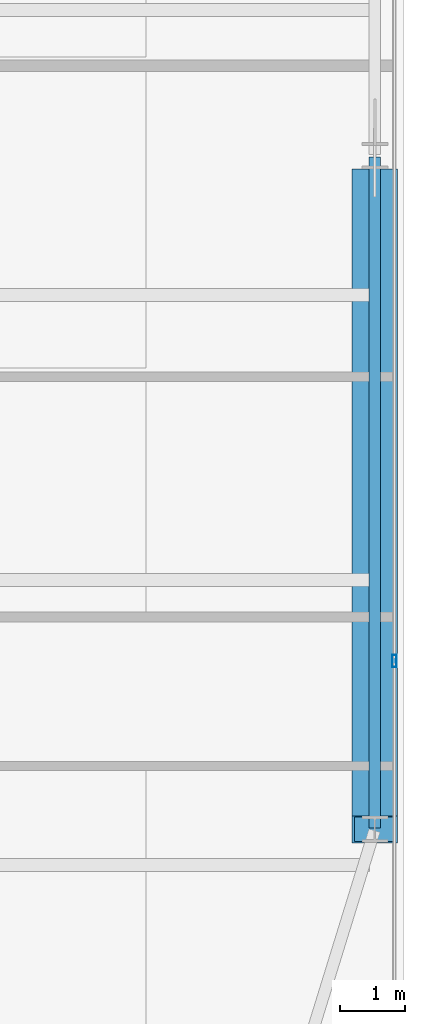
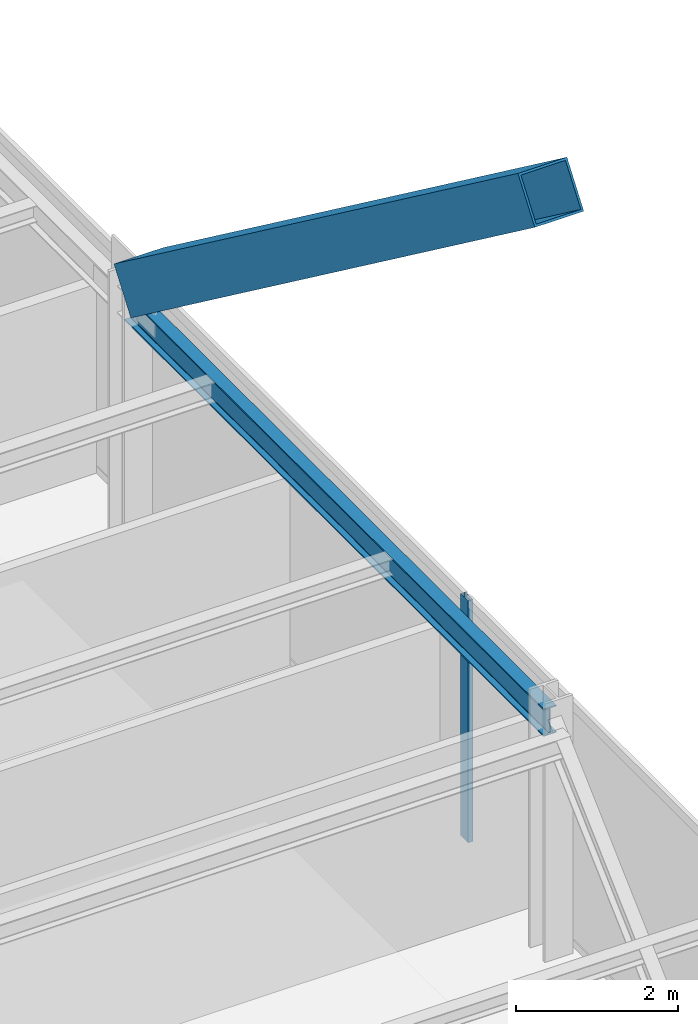
# One storey, part 18 of 35: 2 members, 1 beam, 1 element without a shape of its own.
"""IFC4 building model written with IfcOpenShell, lengths in metres."""

from ifc_helpers import new_model, si_unit, direction, frame, origin, origin_2d, place, context, subcontext, project, spatial, hollow_rectangle, i_section, extrude, source, transform, mapped, material, layer, layer_set, material_profile, profile_set, type_object, type_shapes, element, aggregate, save


model = new_model("IFC4")

# Units and contexts
model_context = context("Model", 3, precision=1e-05, world=origin(), true_north=direction((0.0, 1.0)))
body_context = subcontext(model_context, "Body", "Model", "MODEL_VIEW")
ifc_project = project(units=[si_unit("LENGTHUNIT", "METRE"), si_unit("AREAUNIT", "SQUARE_METRE"), si_unit("VOLUMEUNIT", "CUBIC_METRE"), si_unit("PLANEANGLEUNIT", "RADIAN"), si_unit("MASSUNIT", "GRAM", prefix="KILO")], contexts=[model_context])

# Site, building, storey
site_placement = place(None, origin())
site = spatial("IfcSite", under=ifc_project, at=site_placement, CompositionType="ELEMENT")
building_placement = place(site_placement, origin())
building = spatial("IfcBuilding", under=site, at=building_placement, Name="Varnel Quay Broadcast Tower", CompositionType="ELEMENT")
storey_placement = place(building_placement, frame((0.0, 0.0, 31.5)))
storey = spatial("IfcBuildingStorey", under=building, at=storey_placement, Name="L06", CompositionType="ELEMENT", Elevation=31.5)

# Beam
ifc_material_1 = material(Name="Structural Steel CSA G40.21 350W", Category="steel")
ifc_material_profile_1 = material_profile(ifc_material_1, i_section(OverallWidth=0.180908203125, OverallDepth=0.4169921875, WebThickness=0.010986328125, FlangeThickness=0.018310546875, FilletRadius=0.011962890625, at=origin_2d()), Name="W410X85")
ifc_profile_set_1 = profile_set([ifc_material_profile_1], Name="Structural Steel CSA G40.21 350W")
beam_type = type_object("IfcBeamType", Name="Beam_W410X85", PredefinedType="SPANDREL", material=ifc_profile_set_1)
shared_shape_1 = source(origin(), body_context, "Body", "SweptSolid", [
    extrude(i_section(OverallWidth=0.180908203125, OverallDepth=0.4169921875, WebThickness=0.010986328125, FlangeThickness=0.018310546875, FilletRadius=0.011962890625, at=origin_2d()), origin(), (0.0, 0.0, 1.0), 10.35986328125),
])
type_shapes(beam_type, [shared_shape_1])
beam_placement = place(storey_placement, frame((65.550048828125, 15.02001953125, 3.44140625), z_axis=(0.0, 1.0, 0.0), x_axis=(-1.0, 0.0, 0.0)))
element("IfcBeam", 1, at=beam_placement, inside=storey, type_object=beam_type, Name="L06 East Spandrel TC-E1-TC-E2", PredefinedType="SPANDREL", context=body_context, shape_type="MappedRepresentation", body=[
    mapped(shared_shape_1, transform((0.0, 0.0, 0.0), x_axis=(1.0, 0.0, 0.0), y_axis=(0.0, 1.0, 0.0), z_axis=(0.0, 0.0, 1.0), scale=1.0)),
])

# Member
ifc_material_2 = material(Name="Structural Steel CSA G40.21 350WT", Category="steel")
ifc_material_profile_2 = material_profile(ifc_material_2, hollow_rectangle(XDim=0.699951171875, YDim=0.699951171875, WallThickness=0.031982421875, at=origin_2d()), Name="BOX700X700X32")
ifc_profile_set_2 = profile_set([ifc_material_profile_2], Name="Structural Steel CSA G40.21 350WT")
member_type_1 = type_object("IfcMemberType", Name="Brace_BOX700X700X32", PredefinedType="BRACE", material=ifc_profile_set_2)
shared_shape_2 = source(origin(), body_context, "Body", "SweptSolid", [
    extrude(hollow_rectangle(XDim=0.699951171875, YDim=0.699951171875, WallThickness=0.031982421875, at=origin_2d()), origin(), (0.0, 0.0, 1.0), 12.442626953125),
])
type_shapes(member_type_1, [shared_shape_2])
member_1_placement = place(storey_placement, frame((65.550048828125, 24.986572265625, 4.0078125), z_axis=(0.0, -0.802608305206, 0.596506419425), x_axis=(1.0, 0.0, 0.0)))
element("IfcMember", 2, at=member_1_placement, inside=storey, type_object=member_type_1, Name="Zone 1 Mega-Brace E-FT1 Split Diag B2", PredefinedType="BRACE", context=body_context, shape_type="MappedRepresentation", body=[
    mapped(shared_shape_2, transform((0.0, 0.0, 0.0), x_axis=(1.0, 0.0, 0.0), y_axis=(0.0, 1.0, 0.0), z_axis=(0.0, 0.0, 1.0), scale=1.0)),
])

# Curtain wall, member
ifc_material_3 = material(Name="Anodised Bronze Aluminium 6063-T6", Category="aluminium")
ifc_layer = layer(ifc_material_3, 0.18994140625, Name="Anodised Bronze Aluminium 6063-T6")
ifc_layer_set = layer_set([ifc_layer], Name="Anodised Bronze Aluminium 6063-T6")
curtain_wall_type = type_object("IfcCurtainWallType", Name="CW_LowerTower", PredefinedType="NOTDEFINED", material=ifc_layer_set)
curtain_wall_placement = place(storey_placement, origin())
curtain_wall = element("IfcCurtainWall", 3, at=curtain_wall_placement, inside=storey, type_object=curtain_wall_type, Name="L06 East Unitised Curtain Wall", PredefinedType="NOTDEFINED")
ifc_material_profile_3 = material_profile(ifc_material_3, hollow_rectangle(XDim=0.070068359375, YDim=0.18994140625, WallThickness=0.00390625, at=origin_2d()), Name="ALU70X190X4")
ifc_profile_set_3 = profile_set([ifc_material_profile_3], Name="Anodised Bronze Aluminium 6063-T6")
member_type_2 = type_object("IfcMemberType", Name="Mull_CWS-02", PredefinedType="MULLION", material=ifc_profile_set_3)
shared_shape_3 = source(origin(), body_context, "Body", "SweptSolid", [
    extrude(hollow_rectangle(XDim=0.070068359375, YDim=0.18994140625, WallThickness=0.00390625, at=origin_2d()), origin(), (0.0, 0.0, 1.0), 3.64990234375),
])
type_shapes(member_type_2, [shared_shape_3])
member_2_placement = place(storey_placement, frame((65.85009765625, 17.60009765625, 0.0), z_axis=(0.0, 0.0, 1.0), x_axis=(-1.0, 0.0, 0.0)))
member_2 = element("IfcMember", 4, at=member_2_placement, type_object=member_type_2, Name="CWS-02 mullion 2", PredefinedType="MULLION", context=body_context, shape_type="MappedRepresentation", body=[
    mapped(shared_shape_3, transform((0.0, 0.0, 0.0), x_axis=(1.0, 0.0, 0.0), y_axis=(0.0, 1.0, 0.0), z_axis=(0.0, 0.0, 1.0), scale=1.0)),
])
aggregate(curtain_wall, [member_2])

save(model, "model.ifc")
